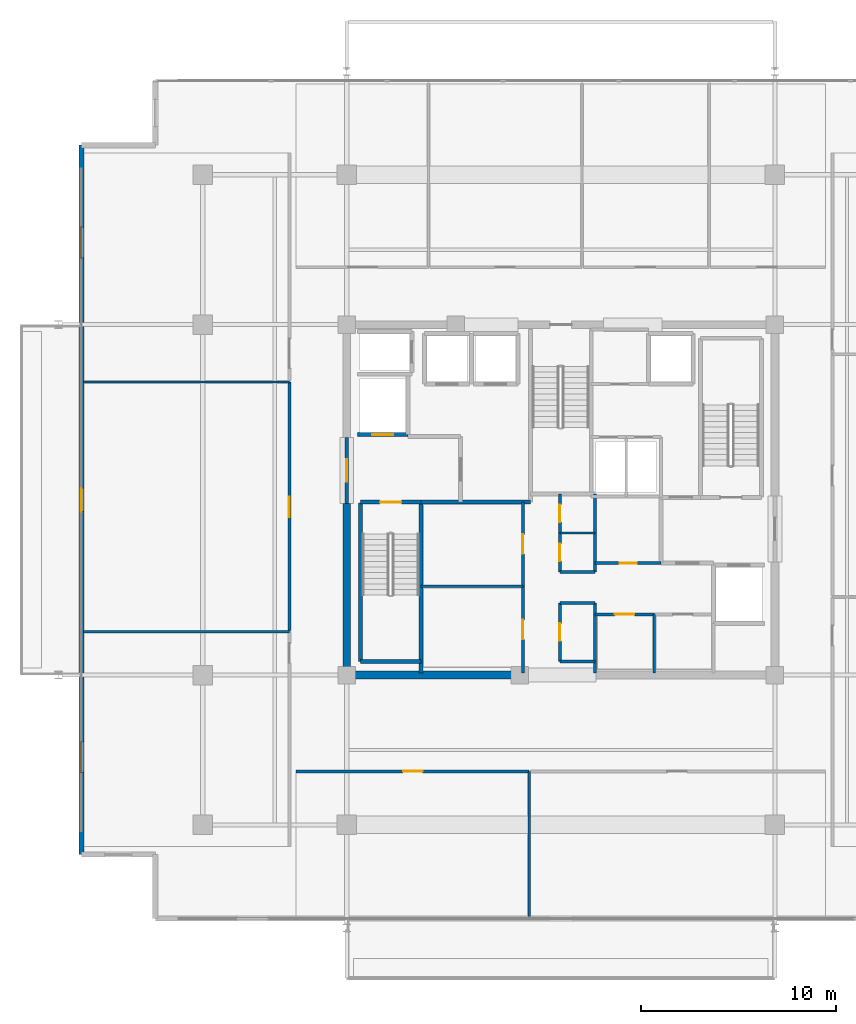
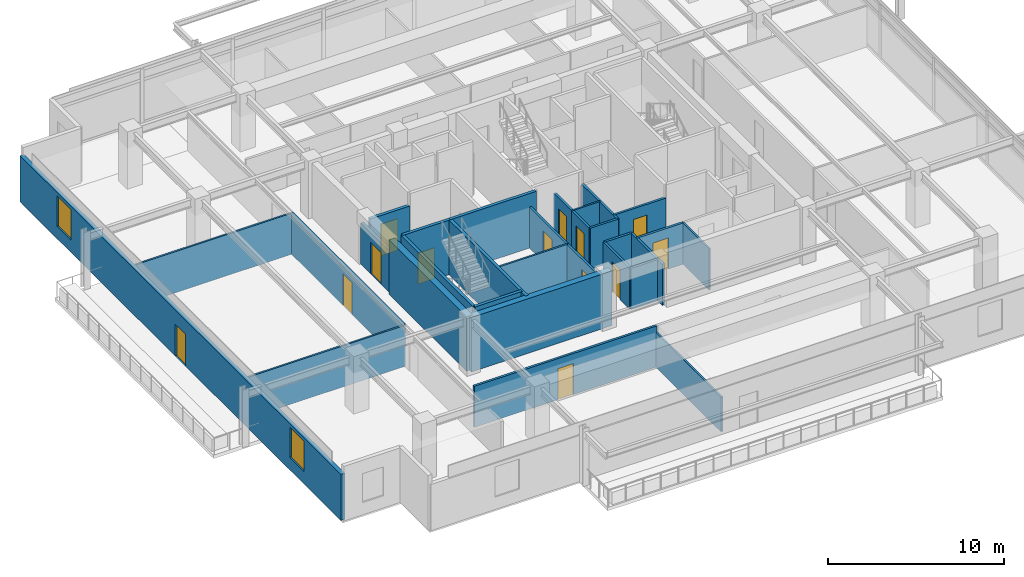
# One storey, part 14 of 21: 30 walls, 13 doors, 2 windows, 15 openings.
"""IFC4 building model written with IfcOpenShell, lengths in metres."""

from ifc_helpers import new_model, si_unit, direction, frame, frame_2d, origin, place, context, subcontext, project, spatial, rectangle, extrude, material, layer, layer_set, type_object, element, fill, save


model = new_model("IFC4")

# Units and contexts
model_context = context("Model", 3, precision=1e-05, world=origin(), true_north=direction((0.0, 1.0)))
body_context = subcontext(model_context, "Body", "Model", "MODEL_VIEW")
ifc_project = project(units=[si_unit("LENGTHUNIT", "METRE"), si_unit("AREAUNIT", "SQUARE_METRE"), si_unit("VOLUMEUNIT", "CUBIC_METRE"), si_unit("PLANEANGLEUNIT", "RADIAN"), si_unit("MASSUNIT", "GRAM", prefix="KILO")], contexts=[model_context])

# Site, building, storey
site_placement = place(None, origin())
site = spatial("IfcSite", under=ifc_project, at=site_placement, CompositionType="ELEMENT")
building_placement = place(site_placement, origin())
building = spatial("IfcBuilding", under=site, at=building_placement, Name="Kovane Verandah Tower", CompositionType="ELEMENT")
storey_placement = place(building_placement, frame((0.0, 0.0, 314.800048828125)))
storey = spatial("IfcBuildingStorey", under=building, at=storey_placement, Name="L73", CompositionType="ELEMENT", Elevation=314.800048828125)

# Walls
ifc_material_1 = material(Name="Fire-Rated Gypsum Stud Partition", Category="gypsum")
ifc_layer_1 = layer(ifc_material_1, 0.14990234375)
ifc_layer_set_1 = layer_set([ifc_layer_1], Name="Fire-Rated Gypsum Stud Partition")
wall_type_1 = type_object("IfcWallType", Name="WL-COR-150", PredefinedType="PARTITIONING", material=ifc_layer_set_1)
for number, where, z_axis, x_axis, name in (
    (1, (39.949951171875, 19.199951171875, 0.0), (0.0, 0.0, 1.0), (1.0, 0.0, 0.0), "L73 Central Core Strip South Wall"),
    (2, (39.949951171875, 22.199951171875, 0.0), (0.0, 0.0, 1.0), (1.0, 0.0, 0.0), "L73 Core Cross-Passage South Wall"),
    (3, (39.949951171875, 23.800048828125, 0.0), (0.0, 0.0, 1.0), (1.0, 0.0, 0.0), "L73 Core Cross-Passage North Wall"),
):
    element("IfcWall", number, at=place(storey_placement, frame(where, z_axis=z_axis, x_axis=x_axis)), inside=storey, type_object=wall_type_1, Name=name, PredefinedType="PARTITIONING", context=body_context, shape_type="SweptSolid", body=[
        extrude(rectangle(XDim=1.81005859375, YDim=0.14990234375, at=frame_2d((0.905029296875, 0.0))), origin(), (0.0, 0.0, 1.0), 2.849853515625),
    ])
wall_1_placement = place(storey_placement, frame((41.760009765625, 18.60009765625, 0.0), z_axis=(0.0, 0.0, 1.0), x_axis=(0.0, 1.0, 0.0)))
element("IfcWall", 4, at=wall_1_placement, inside=storey, type_object=wall_type_1, Name="L73 Central Core Strip Lower East Wall", PredefinedType="PARTITIONING", context=body_context, shape_type="SweptSolid", body=[
    extrude(rectangle(XDim=3.599853515625, YDim=0.14990234375, at=frame_2d((1.7998046875, 0.0))), origin(), (0.0, 0.0, 1.0), 2.849853515625),
])
wall_2_placement = place(storey_placement, frame((41.760009765625, 23.800048828125, 0.0), z_axis=(0.0, 0.0, 1.0), x_axis=(0.0, 1.0, 0.0)))
element("IfcWall", 5, at=wall_2_placement, inside=storey, type_object=wall_type_1, Name="L73 Central Core Strip Upper East Wall", PredefinedType="PARTITIONING", context=body_context, shape_type="SweptSolid", body=[
    extrude(rectangle(XDim=4.0, YDim=0.14990234375, at=frame_2d((2.0, 0.0))), origin(), (0.0, 0.0, 1.0), 2.849853515625),
])

# Wall, opening, door
wall_3_placement = place(storey_placement, frame((39.949951171875, 19.199951171875, 0.0), z_axis=(0.0, 0.0, 1.0), x_axis=(0.0, 1.0, 0.0)))
wall_3 = element("IfcWall", 6, at=wall_3_placement, inside=storey, type_object=wall_type_1, Name="L73 Male Toilet Partition", PredefinedType="PARTITIONING", context=body_context, shape_type="SweptSolid", body=[
    extrude(rectangle(XDim=3.0, YDim=0.14990234375, at=frame_2d((1.5, 0.0))), origin(), (0.0, 0.0, 1.0), 2.849853515625),
])
opening_1_placement = place(wall_3_placement, frame((1.050048828125, 0.0, 0.0)))
opening_1 = element("IfcOpeningElement", 7, at=opening_1_placement, cuts=wall_3, Name="Opening DR-L73-030", PredefinedType="OPENING", context=body_context, shape_type="SweptSolid", body=[
    extrude(rectangle(XDim=0.89990234375, YDim=2.10009765625, at=frame_2d((0.449951171875, 1.050048828125))), frame((0.0, 0.074951171875, 0.0), z_axis=(0.0, -1.0, 0.0), x_axis=(1.0, 0.0, 0.0)), (0.0, 0.0, 1.0), 0.14990234375),
])
ifc_material_2 = material(Name="Moisture-Resistant Laminate Washroom Door", Category="wood")
door_type_1 = type_object("IfcDoorType", Name="DR-WC-900", OperationType="SINGLE_SWING_LEFT", PredefinedType="DOOR", material=ifc_material_2)
door_1_placement = place(opening_1_placement, origin())
door_1 = element("IfcDoor", 8, at=door_1_placement, inside=storey, type_object=door_type_1, Name="L73 Male Toilet Door", OperationType="SINGLE_SWING_LEFT", OverallHeight=2.10009765625, OverallWidth=0.89990234375, PredefinedType="DOOR", context=body_context, shape_type="SweptSolid", body=[
    extrude(rectangle(XDim=0.89990234375, YDim=2.10009765625, at=frame_2d((0.449951171875, 1.050048828125))), frame((0.0, 0.02490234375, 0.0), z_axis=(0.0, -1.0, 0.0), x_axis=(1.0, 0.0, 0.0)), (0.0, 0.0, 1.0), 0.050048828125),
])
fill(opening_1, door_1)

wall_4_placement = place(storey_placement, frame((39.949951171875, 23.800048828125, 0.0), z_axis=(0.0, 0.0, 1.0), x_axis=(0.0, 1.0, 0.0)))
wall_4 = element("IfcWall", 9, at=wall_4_placement, inside=storey, type_object=wall_type_1, Name="L73 Female Toilet Partition", PredefinedType="PARTITIONING", context=body_context, shape_type="SweptSolid", body=[
    extrude(rectangle(XDim=2.0, YDim=0.14990234375, at=frame_2d((1.0, 0.0))), origin(), (0.0, 0.0, 1.0), 2.849853515625),
])
opening_2_placement = place(wall_4_placement, frame((0.550048828125, 0.0, 0.0)))
opening_2 = element("IfcOpeningElement", 10, at=opening_2_placement, cuts=wall_4, Name="Opening DR-L73-029", PredefinedType="OPENING", context=body_context, shape_type="SweptSolid", body=[
    extrude(rectangle(XDim=0.89990234375, YDim=2.10009765625, at=frame_2d((0.449951171875, 1.050048828125))), frame((0.0, 0.074951171875, 0.0), z_axis=(0.0, -1.0, 0.0), x_axis=(1.0, 0.0, 0.0)), (0.0, 0.0, 1.0), 0.14990234375),
])
door_2_placement = place(opening_2_placement, origin())
door_2 = element("IfcDoor", 11, at=door_2_placement, inside=storey, type_object=door_type_1, Name="L73 Female Toilet Door", OperationType="SINGLE_SWING_RIGHT", OverallHeight=2.10009765625, OverallWidth=0.89990234375, PredefinedType="DOOR", context=body_context, shape_type="SweptSolid", body=[
    extrude(rectangle(XDim=0.89990234375, YDim=2.10009765625, at=frame_2d((0.449951171875, 1.050048828125))), frame((0.0, 0.02490234375, 0.0), z_axis=(0.0, -1.0, 0.0), x_axis=(1.0, 0.0, 0.0)), (0.0, 0.0, 1.0), 0.050048828125),
])
fill(opening_2, door_2)

wall_5_placement = place(storey_placement, frame((39.949951171875, 25.800048828125, 0.0), z_axis=(0.0, 0.0, 1.0), x_axis=(0.0, 1.0, 0.0)))
wall_5 = element("IfcWall", 12, at=wall_5_placement, inside=storey, type_object=wall_type_1, Name="L73 Accessible Unisex Toilet Partition", PredefinedType="PARTITIONING", context=body_context, shape_type="SweptSolid", body=[
    extrude(rectangle(XDim=2.0, YDim=0.14990234375, at=frame_2d((1.0, 0.0))), origin(), (0.0, 0.0, 1.0), 2.849853515625),
])
opening_3_placement = place(wall_5_placement, frame((0.550048828125, 0.0, 0.0)))
opening_3 = element("IfcOpeningElement", 13, at=opening_3_placement, cuts=wall_5, Name="Opening DR-L73-028", PredefinedType="OPENING", context=body_context, shape_type="SweptSolid", body=[
    extrude(rectangle(XDim=0.89990234375, YDim=2.10009765625, at=frame_2d((0.449951171875, 1.050048828125))), frame((0.0, 0.074951171875, 0.0), z_axis=(0.0, -1.0, 0.0), x_axis=(1.0, 0.0, 0.0)), (0.0, 0.0, 1.0), 0.14990234375),
])
door_3_placement = place(opening_3_placement, origin())
door_3 = element("IfcDoor", 14, at=door_3_placement, inside=storey, type_object=door_type_1, Name="L73 Accessible Unisex Toilet Door", OperationType="SINGLE_SWING_LEFT", OverallHeight=2.10009765625, OverallWidth=0.89990234375, PredefinedType="DOOR", context=body_context, shape_type="SweptSolid", body=[
    extrude(rectangle(XDim=0.89990234375, YDim=2.10009765625, at=frame_2d((0.449951171875, 1.050048828125))), frame((0.0, 0.02490234375, 0.0), z_axis=(0.0, -1.0, 0.0), x_axis=(1.0, 0.0, 0.0)), (0.0, 0.0, 1.0), 0.050048828125),
])
fill(opening_3, door_3)

wall_6_placement = place(storey_placement, frame((38.050048828125, 18.60009765625, 0.0), z_axis=(0.0, 0.0, 1.0), x_axis=(0.0, 1.0, 0.0)))
wall_6 = element("IfcWall", 15, at=wall_6_placement, inside=storey, type_object=wall_type_1, Name="L73 IT Server Room Partition", PredefinedType="PARTITIONING", context=body_context, shape_type="SweptSolid", body=[
    extrude(rectangle(XDim=4.4599609375, YDim=0.14990234375, at=frame_2d((2.22998046875, 0.0))), origin(), (0.0, 0.0, 1.0), 2.849853515625),
])
opening_4_placement = place(wall_6_placement, frame((1.72998046875, 0.0, 0.0)))
opening_4 = element("IfcOpeningElement", 16, at=opening_4_placement, cuts=wall_6, Name="Opening DR-L73-014", PredefinedType="OPENING", context=body_context, shape_type="SweptSolid", body=[
    extrude(rectangle(XDim=1.0, YDim=2.14990234375, at=frame_2d((0.5, 1.074951171875))), frame((0.0, 0.074951171875, 0.0), z_axis=(0.0, -1.0, 0.0), x_axis=(1.0, 0.0, 0.0)), (0.0, 0.0, 1.0), 0.14990234375),
])
ifc_material_3 = material(Name="FSC Spotted-Gum Timber Fire-Rated Office Door", Category="wood")
door_type_2 = type_object("IfcDoorType", Name="DR-OFF-1000", OperationType="SINGLE_SWING_LEFT", PredefinedType="DOOR", material=ifc_material_3)
door_4_placement = place(opening_4_placement, origin())
door_4 = element("IfcDoor", 17, at=door_4_placement, inside=storey, type_object=door_type_2, Name="L73 IT Server Room Door", OperationType="SINGLE_SWING_RIGHT", OverallHeight=2.14990234375, OverallWidth=1.0, PredefinedType="DOOR", context=body_context, shape_type="SweptSolid", body=[
    extrude(rectangle(XDim=1.0, YDim=2.14990234375, at=frame_2d((0.5, 1.074951171875))), frame((0.0, 0.02490234375, 0.0), z_axis=(0.0, -1.0, 0.0), x_axis=(1.0, 0.0, 0.0)), (0.0, 0.0, 1.0), 0.050048828125),
])
fill(opening_4, door_4)

wall_7_placement = place(storey_placement, frame((38.050048828125, 23.06005859375, 0.0), z_axis=(0.0, 0.0, 1.0), x_axis=(0.0, 1.0, 0.0)))
wall_7 = element("IfcWall", 18, at=wall_7_placement, inside=storey, type_object=wall_type_1, Name="L73 Telecom MDF Room Partition", PredefinedType="PARTITIONING", context=body_context, shape_type="SweptSolid", body=[
    extrude(rectangle(XDim=4.31982421875, YDim=0.14990234375, at=frame_2d((2.159912109375, 0.0))), origin(), (0.0, 0.0, 1.0), 2.849853515625),
])
opening_5_placement = place(wall_7_placement, frame((1.659912109375, 0.0, 0.0)))
opening_5 = element("IfcOpeningElement", 19, at=opening_5_placement, cuts=wall_7, Name="Opening DR-L73-015", PredefinedType="OPENING", context=body_context, shape_type="SweptSolid", body=[
    extrude(rectangle(XDim=1.0, YDim=2.14990234375, at=frame_2d((0.5, 1.074951171875))), frame((0.0, 0.074951171875, 0.0), z_axis=(0.0, -1.0, 0.0), x_axis=(1.0, 0.0, 0.0)), (0.0, 0.0, 1.0), 0.14990234375),
])
door_5_placement = place(opening_5_placement, origin())
door_5 = element("IfcDoor", 20, at=door_5_placement, inside=storey, type_object=door_type_2, Name="L73 Telecom MDF Room Door", OperationType="SINGLE_SWING_LEFT", OverallHeight=2.14990234375, OverallWidth=1.0, PredefinedType="DOOR", context=body_context, shape_type="SweptSolid", body=[
    extrude(rectangle(XDim=1.0, YDim=2.14990234375, at=frame_2d((0.5, 1.074951171875))), frame((0.0, 0.02490234375, 0.0), z_axis=(0.0, -1.0, 0.0), x_axis=(1.0, 0.0, 0.0)), (0.0, 0.0, 1.0), 0.050048828125),
])
fill(opening_5, door_5)

wall_8_placement = place(storey_placement, frame((41.760009765625, 21.6201171875, 0.0), z_axis=(0.0, 0.0, 1.0), x_axis=(1.0, 0.0, 0.0)))
wall_8 = element("IfcWall", 21, at=wall_8_placement, inside=storey, type_object=wall_type_1, Name="L73 AV Control Room Partition", PredefinedType="PARTITIONING", context=body_context, shape_type="SweptSolid", body=[
    extrude(rectangle(XDim=3.0400390625, YDim=0.14990234375, at=frame_2d((1.52001953125, 0.0))), origin(), (0.0, 0.0, 1.0), 2.849853515625),
])
opening_6_placement = place(wall_8_placement, frame((1.02001953125, 0.0, 0.0)))
opening_6 = element("IfcOpeningElement", 22, at=opening_6_placement, cuts=wall_8, Name="Opening DR-L73-016", PredefinedType="OPENING", context=body_context, shape_type="SweptSolid", body=[
    extrude(rectangle(XDim=1.0, YDim=2.14990234375, at=frame_2d((0.5, 1.074951171875))), frame((0.0, 0.074951171875, 0.0), z_axis=(0.0, -1.0, 0.0), x_axis=(1.0, 0.0, 0.0)), (0.0, 0.0, 1.0), 0.14990234375),
])
door_6_placement = place(opening_6_placement, origin())
door_6 = element("IfcDoor", 23, at=door_6_placement, inside=storey, type_object=door_type_2, Name="L73 AV Control Room Door", OperationType="SINGLE_SWING_RIGHT", OverallHeight=2.14990234375, OverallWidth=1.0, PredefinedType="DOOR", context=body_context, shape_type="SweptSolid", body=[
    extrude(rectangle(XDim=1.0, YDim=2.14990234375, at=frame_2d((0.5, 1.074951171875))), frame((0.0, 0.02490234375, 0.0), z_axis=(0.0, -1.0, 0.0), x_axis=(1.0, 0.0, 0.0)), (0.0, 0.0, 1.0), 0.050048828125),
])
fill(opening_6, door_6)

wall_9_placement = place(storey_placement, frame((41.760009765625, 24.25, 0.0), z_axis=(0.0, 0.0, 1.0), x_axis=(1.0, 0.0, 0.0)))
wall_9 = element("IfcWall", 24, at=wall_9_placement, inside=storey, type_object=wall_type_1, Name="L73 Cleaner Store Partition", PredefinedType="PARTITIONING", context=body_context, shape_type="SweptSolid", body=[
    extrude(rectangle(XDim=3.389892578125, YDim=0.14990234375, at=frame_2d((1.69482421875, 0.0))), origin(), (0.0, 0.0, 1.0), 2.849853515625),
])
opening_7_placement = place(wall_9_placement, frame((1.2548828125, 0.0, 0.0)))
opening_7 = element("IfcOpeningElement", 25, at=opening_7_placement, cuts=wall_9, Name="Opening DR-L73-018", PredefinedType="OPENING", context=body_context, shape_type="SweptSolid", body=[
    extrude(rectangle(XDim=0.8798828125, YDim=2.10009765625, at=frame_2d((0.43994140625, 1.050048828125))), frame((0.0, 0.074951171875, 0.0), z_axis=(0.0, -1.0, 0.0), x_axis=(1.0, 0.0, 0.0)), (0.0, 0.0, 1.0), 0.14990234375),
])
ifc_material_4 = material(Name="Fire-Rated Steel Riser Access Door", Category="steel")
door_type_3 = type_object("IfcDoorType", Name="DR-RISER-880", OperationType="SINGLE_SWING_LEFT", PredefinedType="DOOR", material=ifc_material_4)
door_7_placement = place(opening_7_placement, origin())
door_7 = element("IfcDoor", 26, at=door_7_placement, inside=storey, type_object=door_type_3, Name="L73 Cleaner Store Door", OperationType="SINGLE_SWING_RIGHT", OverallHeight=2.10009765625, OverallWidth=0.8798828125, PredefinedType="DOOR", context=body_context, shape_type="SweptSolid", body=[
    extrude(rectangle(XDim=0.8798828125, YDim=2.10009765625, at=frame_2d((0.43994140625, 1.050048828125))), frame((0.0, 0.02490234375, 0.0), z_axis=(0.0, -1.0, 0.0), x_axis=(1.0, 0.0, 0.0)), (0.0, 0.0, 1.0), 0.050048828125),
])
fill(opening_7, door_7)

wall_10_placement = place(storey_placement, frame((26.39990234375, 13.550048828125, 0.0), z_axis=(0.0, 0.0, 1.0), x_axis=(1.0, 0.0, 0.0)))
wall_10 = element("IfcWall", 27, at=wall_10_placement, inside=storey, type_object=wall_type_1, Name="L73 Collaboration Hub S1 Corridor Partition", PredefinedType="PARTITIONING", context=body_context, shape_type="SweptSolid", body=[
    extrude(rectangle(XDim=11.968017578125, YDim=0.14990234375, at=frame_2d((5.98388671875, 0.0))), origin(), (0.0, 0.0, 1.0), 2.849853515625),
])
opening_8_placement = place(wall_10_placement, frame((5.4990234375, 0.0, 0.0)))
opening_8 = element("IfcOpeningElement", 28, at=opening_8_placement, cuts=wall_10, Name="Opening DR-L73-026", PredefinedType="OPENING", context=body_context, shape_type="SweptSolid", body=[
    extrude(rectangle(XDim=1.0, YDim=2.14990234375, at=frame_2d((0.5, 1.074951171875))), frame((0.0, 0.074951171875, 0.0), z_axis=(0.0, -1.0, 0.0), x_axis=(1.0, 0.0, 0.0)), (0.0, 0.0, 1.0), 0.14990234375),
])
door_8_placement = place(opening_8_placement, origin())
door_8 = element("IfcDoor", 29, at=door_8_placement, inside=storey, type_object=door_type_2, Name="L73 Collaboration Hub S1 Entrance Door", OperationType="SINGLE_SWING_RIGHT", OverallHeight=2.14990234375, OverallWidth=1.0, PredefinedType="DOOR", context=body_context, shape_type="SweptSolid", body=[
    extrude(rectangle(XDim=1.0, YDim=2.14990234375, at=frame_2d((0.5, 1.074951171875))), frame((0.0, 0.02490234375, 0.0), z_axis=(0.0, -1.0, 0.0), x_axis=(1.0, 0.0, 0.0)), (0.0, 0.0, 1.0), 0.050048828125),
])
fill(opening_8, door_8)

wall_11_placement = place(storey_placement, frame((26.050048828125, 20.799072265625, 0.0), z_axis=(0.0, 0.0, 1.0), x_axis=(0.0, 1.0, 0.0)))
wall_11 = element("IfcWall", 30, at=wall_11_placement, inside=storey, type_object=wall_type_1, Name="L73 Executive Office W2 Corridor Partition", PredefinedType="PARTITIONING", context=body_context, shape_type="SweptSolid", body=[
    extrude(rectangle(XDim=12.759033203125, YDim=0.14990234375, at=frame_2d((6.37939453125, 0.0))), origin(), (0.0, 0.0, 1.0), 2.849853515625),
])
opening_9_placement = place(wall_11_placement, frame((5.819580078125, 0.0, 0.0)))
opening_9 = element("IfcOpeningElement", 31, at=opening_9_placement, cuts=wall_11, Name="Opening DR-L73-032", PredefinedType="OPENING", context=body_context, shape_type="SweptSolid", body=[
    extrude(rectangle(XDim=1.050048828125, YDim=2.199951171875, at=frame_2d((0.52490234375, 1.10009765625))), frame((0.0, 0.074951171875, 0.0), z_axis=(0.0, -1.0, 0.0), x_axis=(1.0, 0.0, 0.0)), (0.0, 0.0, 1.0), 0.14990234375),
])
ifc_material_5 = material(Name="FSC Blackbutt Timber Fire-Rated Executive Door", Category="wood")
door_type_4 = type_object("IfcDoorType", Name="DR-EXEC-1050", OperationType="SINGLE_SWING_LEFT", PredefinedType="DOOR", material=ifc_material_5)
door_9_placement = place(opening_9_placement, origin())
door_9 = element("IfcDoor", 32, at=door_9_placement, inside=storey, type_object=door_type_4, Name="L73 Executive Office W2 Entrance Door", OperationType="SINGLE_SWING_LEFT", OverallHeight=2.199951171875, OverallWidth=1.050048828125, PredefinedType="DOOR", context=body_context, shape_type="SweptSolid", body=[
    extrude(rectangle(XDim=1.050048828125, YDim=2.199951171875, at=frame_2d((0.52490234375, 1.10009765625))), frame((0.0, 0.02490234375, 0.0), z_axis=(0.0, -1.0, 0.0), x_axis=(1.0, 0.0, 0.0)), (0.0, 0.0, 1.0), 0.050048828125),
])
fill(opening_9, door_9)

# Walls
ifc_material_6 = material(Name="Concrete C60/75", Category="concrete")
ifc_layer_2 = layer(ifc_material_6, 0.39990234375)
ifc_layer_set_2 = layer_set([ifc_layer_2], Name="Concrete C60/75")
wall_type_2 = type_object("IfcWallType", Name="WL-CORE-400", PredefinedType="SHEAR", material=ifc_layer_set_2)
wall_12_placement = place(storey_placement, frame((29.0, 18.5, 0.0), z_axis=(0.0, 0.0, 1.0), x_axis=(1.0, 0.0, 0.0)))
element("IfcWall", 33, at=wall_12_placement, inside=storey, type_object=wall_type_2, Name="L73 Core Shear Wall CS-1", PredefinedType="SHEAR", context=body_context, shape_type="SweptSolid", body=[
    extrude(rectangle(XDim=9.199951171875, YDim=0.39990234375, at=frame_2d((4.60009765625, 0.0))), origin(), (0.0, 0.0, 1.0), 3.784912109375),
])
wall_13_placement = place(storey_placement, frame((29.0, 18.5, 0.0), z_axis=(0.0, 0.0, 1.0), x_axis=(0.0, 1.0, 0.0)))
element("IfcWall", 34, at=wall_13_placement, inside=storey, type_object=wall_type_2, Name="L73 Core Shear Wall CW-1", PredefinedType="SHEAR", context=body_context, shape_type="SweptSolid", body=[
    extrude(rectangle(XDim=8.800048828125, YDim=0.39990234375, at=frame_2d((4.39990234375, 0.0))), origin(), (0.0, 0.0, 1.0), 3.784912109375),
])

# Wall, opening, door
ifc_material_7 = material(Name="Concrete C45/55 Fire Wall", Category="concrete")
ifc_layer_3 = layer(ifc_material_7, 0.199951171875)
ifc_layer_set_3 = layer_set([ifc_layer_3], Name="Concrete C45/55 Fire Wall")
wall_type_3 = type_object("IfcWallType", Name="WL-FFL-200", PredefinedType="PARTITIONING", material=ifc_layer_set_3)
wall_14_placement = place(storey_placement, frame((29.0, 27.300048828125, 0.0), z_axis=(0.0, 0.0, 1.0), x_axis=(0.0, 1.0, 0.0)))
wall_14 = element("IfcWall", 35, at=wall_14_placement, inside=storey, type_object=wall_type_3, Name="W-L73-FFLW-OUT", PredefinedType="PARTITIONING", context=body_context, shape_type="SweptSolid", body=[
    extrude(rectangle(XDim=3.39990234375, YDim=0.199951171875, at=frame_2d((1.699951171875, 0.0))), origin(), (0.0, 0.0, 1.0), 2.864990234375),
])
opening_10_placement = place(wall_14_placement, frame((1.125, 0.0, 0.0)))
opening_10 = element("IfcOpeningElement", 36, at=opening_10_placement, cuts=wall_14, Name="Opening DR-L73-007", PredefinedType="OPENING", context=body_context, shape_type="SweptSolid", body=[
    extrude(rectangle(XDim=1.14990234375, YDim=2.199951171875, at=frame_2d((0.574951171875, 1.10009765625))), frame((0.0, 0.10009765625, 0.0), z_axis=(0.0, -1.0, 0.0), x_axis=(1.0, 0.0, 0.0)), (0.0, 0.0, 1.0), 0.199951171875),
])
ifc_material_8 = material(Name="Smoke-Sealed Firefighting Lobby Door", Category="steel")
door_type_5 = type_object("IfcDoorType", Name="DR-FFL-1150", OperationType="SINGLE_SWING_LEFT", PredefinedType="DOOR", material=ifc_material_8)
door_10_placement = place(opening_10_placement, origin())
door_10 = element("IfcDoor", 37, at=door_10_placement, inside=storey, type_object=door_type_5, Name="L73 West Firefighting Lobby Corridor Door", OperationType="SINGLE_SWING_RIGHT", OverallHeight=2.199951171875, OverallWidth=1.14990234375, PredefinedType="DOOR", context=body_context, shape_type="SweptSolid", body=[
    extrude(rectangle(XDim=1.14990234375, YDim=2.199951171875, at=frame_2d((0.574951171875, 1.10009765625))), frame((0.0, 0.02490234375, 0.0), z_axis=(0.0, -1.0, 0.0), x_axis=(1.0, 0.0, 0.0)), (0.0, 0.0, 1.0), 0.050048828125),
])
fill(opening_10, door_10)

# Wall
wall_15_placement = place(storey_placement, frame((32.820068359375, 27.3798828125, 0.0), z_axis=(0.0, 0.0, 1.0), x_axis=(1.0, 0.0, 0.0)))
element("IfcWall", 38, at=wall_15_placement, inside=storey, type_object=wall_type_3, Name="L73 West Firefighting Lobby South Fire Wall", PredefinedType="PARTITIONING", context=body_context, shape_type="SweptSolid", body=[
    extrude(rectangle(XDim=5.619873046875, YDim=0.199951171875, at=frame_2d((2.81005859375, 0.0))), origin(), (0.0, 0.0, 1.0), 3.784912109375),
])

# Wall, opening, door
ifc_material_9 = material(Name="Concrete C45/55 Lift Shaft Wall", Category="concrete")
ifc_layer_4 = layer(ifc_material_9, 0.199951171875)
ifc_layer_set_4 = layer_set([ifc_layer_4], Name="Concrete C45/55 Lift Shaft Wall")
wall_type_4 = type_object("IfcWallType", Name="WL-LIFT-200", PredefinedType="SOLIDWALL", material=ifc_layer_set_4)
wall_16_placement = place(storey_placement, frame((29.550048828125, 30.85009765625, 0.0), z_axis=(0.0, 0.0, 1.0), x_axis=(1.0, 0.0, 0.0)))
wall_16 = element("IfcWall", 39, at=wall_16_placement, inside=storey, type_object=wall_type_4, Name="L73 Lift FL-01 S Shaft Wall", PredefinedType="SOLIDWALL", context=body_context, shape_type="SweptSolid", body=[
    extrude(rectangle(XDim=2.599853515625, YDim=0.199951171875, at=frame_2d((1.2998046875, 0.0))), origin(), (0.0, 0.0, 1.0), 2.864990234375),
])
opening_11_placement = place(wall_16_placement, frame((0.75, 0.0, 0.0)))
opening_11 = element("IfcOpeningElement", 40, at=opening_11_placement, cuts=wall_16, Name="Opening LD-L73-001", PredefinedType="OPENING", context=body_context, shape_type="SweptSolid", body=[
    extrude(rectangle(XDim=1.10009765625, YDim=2.199951171875, at=frame_2d((0.550048828125, 1.10009765625))), frame((0.0, 0.10009765625, 0.0), z_axis=(0.0, -1.0, 0.0), x_axis=(1.0, 0.0, 0.0)), (0.0, 0.0, 1.0), 0.199951171875),
])
ifc_material_10 = material(Name="Brushed Stainless Steel Sliding Lift Landing Door", Category="steel")
door_type_6 = type_object("IfcDoorType", Name="DR-LIFT-1100", OperationType="SLIDING_TO_RIGHT", PredefinedType="DOOR", material=ifc_material_10)
door_11_placement = place(opening_11_placement, origin())
door_11 = element("IfcDoor", 41, at=door_11_placement, inside=storey, type_object=door_type_6, Name="L73 Lift FL-01 Sliding Landing Door", OperationType="SLIDING_TO_RIGHT", OverallHeight=2.199951171875, OverallWidth=1.10009765625, PredefinedType="DOOR", context=body_context, shape_type="SweptSolid", body=[
    extrude(rectangle(XDim=1.10009765625, YDim=2.199951171875, at=frame_2d((0.550048828125, 1.10009765625))), frame((0.0, 0.02490234375, 0.0), z_axis=(0.0, -1.0, 0.0), x_axis=(1.0, 0.0, 0.0)), (0.0, 0.0, 1.0), 0.050048828125),
])
fill(opening_11, door_11)

# Walls
ifc_material_11 = material(Name="Acoustic Fire-Rated Gypsum Partition", Category="gypsum")
ifc_layer_5 = layer(ifc_material_11, 0.1201171875)
ifc_layer_set_5 = layer_set([ifc_layer_5], Name="Acoustic Fire-Rated Gypsum Partition")
wall_type_5 = type_object("IfcWallType", Name="WL-PART-120", PredefinedType="PARTITIONING", material=ifc_layer_set_5)
wall_17_placement = place(storey_placement, frame((39.949951171875, 25.800048828125, 0.0), z_axis=(0.0, 0.0, 1.0), x_axis=(1.0, 0.0, 0.0)))
element("IfcWall", 42, at=wall_17_placement, inside=storey, type_object=wall_type_5, Name="L73 Central Core Strip Upper Dividing Partition", PredefinedType="PARTITIONING", context=body_context, shape_type="SweptSolid", body=[
    extrude(rectangle(XDim=1.81005859375, YDim=0.1201171875, at=frame_2d((0.905029296875, 0.0))), origin(), (0.0, 0.0, 1.0), 2.849853515625),
])
wall_18_placement = place(storey_placement, frame((32.820068359375, 23.06005859375, 0.0), z_axis=(0.0, 0.0, 1.0), x_axis=(1.0, 0.0, 0.0)))
element("IfcWall", 43, at=wall_18_placement, inside=storey, type_object=wall_type_5, Name="L73 Core Support Dividing Partition", PredefinedType="PARTITIONING", context=body_context, shape_type="SweptSolid", body=[
    extrude(rectangle(XDim=5.22998046875, YDim=0.1201171875, at=frame_2d((2.614990234375, 0.0))), origin(), (0.0, 0.0, 1.0), 2.849853515625),
])
wall_19_placement = place(storey_placement, frame((44.800048828125, 18.60009765625, 0.0), z_axis=(0.0, 0.0, 1.0), x_axis=(0.0, 1.0, 0.0)))
element("IfcWall", 44, at=wall_19_placement, inside=storey, type_object=wall_type_5, Name="L73 East Core Support Dividing Partition", PredefinedType="PARTITIONING", context=body_context, shape_type="SweptSolid", body=[
    extrude(rectangle(XDim=3.02001953125, YDim=0.1201171875, at=frame_2d((1.510009765625, 0.0))), origin(), (0.0, 0.0, 1.0), 2.849853515625),
])
wall_20_placement = place(storey_placement, frame((38.367919921875, 6.081787109375, 0.0), z_axis=(0.0, 0.0, 1.0), x_axis=(0.0, 1.0, 0.0)))
element("IfcWall", 45, at=wall_20_placement, inside=storey, type_object=wall_type_5, Name="L73 Collaboration Hub S1 Dividing Partition", PredefinedType="PARTITIONING", context=body_context, shape_type="SweptSolid", body=[
    extrude(rectangle(XDim=7.46826171875, YDim=0.1201171875, at=frame_2d((3.734130859375, 0.0))), origin(), (0.0, 0.0, 1.0), 2.4150390625),
])
for number, where, z_axis, x_axis, name in (
    (46, (15.463623046875, 20.72900390625, 0.0), (0.0, 0.0, 1.0), (1.0, 0.0, 0.0), "L73 Open Plan Office W1 Dividing Partition"),
    (47, (15.463623046875, 33.55810546875, 0.0), (0.0, 0.0, 1.0), (1.0, 0.0, 0.0), "L73 Executive Office W2 Dividing Partition"),
):
    element("IfcWall", number, at=place(storey_placement, frame(where, z_axis=z_axis, x_axis=x_axis)), inside=storey, type_object=wall_type_5, Name=name, PredefinedType="PARTITIONING", context=body_context, shape_type="SweptSolid", body=[
        extrude(rectangle(XDim=10.58642578125, YDim=0.1201171875, at=frame_2d((5.293212890625, 0.0))), origin(), (0.0, 0.0, 1.0), 2.849853515625),
    ])
ifc_material_12 = material(Name="Concrete C45/55", Category="concrete")
ifc_layer_6 = layer(ifc_material_12, 0.199951171875)
ifc_layer_set_6 = layer_set([ifc_layer_6], Name="Concrete C45/55")
wall_type_6 = type_object("IfcWallType", Name="WL-SHAFT-200", PredefinedType="SOLIDWALL", material=ifc_layer_set_6)
wall_21_placement = place(storey_placement, frame((29.699951171875, 19.199951171875, 0.0), z_axis=(0.0, 0.0, 1.0), x_axis=(0.0, 1.0, 0.0)))
element("IfcWall", 48, at=wall_21_placement, inside=storey, type_object=wall_type_6, Name="W-L73-ST01-W", PredefinedType="SOLIDWALL", context=body_context, shape_type="SweptSolid", body=[
    extrude(rectangle(XDim=8.150146484375, YDim=0.199951171875, at=frame_2d((4.0751953125, 0.0))), origin(), (0.0, 0.0, 1.0), 3.784912109375),
])
wall_22_placement = place(storey_placement, frame((29.699951171875, 19.199951171875, 0.0), z_axis=(0.0, 0.0, 1.0), x_axis=(1.0, 0.0, 0.0)))
element("IfcWall", 49, at=wall_22_placement, inside=storey, type_object=wall_type_6, Name="W-L73-ST01-S", PredefinedType="SOLIDWALL", context=body_context, shape_type="SweptSolid", body=[
    extrude(rectangle(XDim=3.1201171875, YDim=0.199951171875, at=frame_2d((1.56005859375, 0.0))), origin(), (0.0, 0.0, 1.0), 3.784912109375),
])
wall_23_placement = place(storey_placement, frame((32.820068359375, 18.60009765625, 0.0), z_axis=(0.0, 0.0, 1.0), x_axis=(0.0, 1.0, 0.0)))
element("IfcWall", 50, at=wall_23_placement, inside=storey, type_object=wall_type_6, Name="W-L73-ST01-E", PredefinedType="SOLIDWALL", context=body_context, shape_type="SweptSolid", body=[
    extrude(rectangle(XDim=8.77978515625, YDim=0.199951171875, at=frame_2d((4.389892578125, 0.0))), origin(), (0.0, 0.0, 1.0), 3.784912109375),
])

# Wall, opening, door
wall_24_placement = place(storey_placement, frame((29.699951171875, 27.3798828125, 0.0), z_axis=(0.0, 0.0, 1.0), x_axis=(1.0, 0.0, 0.0)))
wall_24 = element("IfcWall", 51, at=wall_24_placement, inside=storey, type_object=wall_type_6, Name="W-L73-ST01-N", PredefinedType="SOLIDWALL", context=body_context, shape_type="SweptSolid", body=[
    extrude(rectangle(XDim=3.1201171875, YDim=0.199951171875, at=frame_2d((1.56005859375, 0.0))), origin(), (0.0, 0.0, 1.0), 3.784912109375),
])
opening_12_placement = place(wall_24_placement, frame((1.010009765625, 0.0, 0.0)))
opening_12 = element("IfcOpeningElement", 52, at=opening_12_placement, cuts=wall_24, Name="Opening DR-L73-008", PredefinedType="OPENING", context=body_context, shape_type="SweptSolid", body=[
    extrude(rectangle(XDim=1.10009765625, YDim=2.14990234375, at=frame_2d((0.550048828125, 1.074951171875))), frame((0.0, 0.10009765625, 0.0), z_axis=(0.0, -1.0, 0.0), x_axis=(1.0, 0.0, 0.0)), (0.0, 0.0, 1.0), 0.199951171875),
])
ifc_material_13 = material(Name="Fire-Rated Steel Exit Door", Category="steel")
door_type_7 = type_object("IfcDoorType", Name="DR-STAIR-1100", OperationType="SINGLE_SWING_LEFT", PredefinedType="DOOR", material=ifc_material_13)
door_12_placement = place(opening_12_placement, origin())
door_12 = element("IfcDoor", 53, at=door_12_placement, inside=storey, type_object=door_type_7, Name="L73 ST-01 Fire Exit Stair Door", OperationType="SINGLE_SWING_RIGHT", OverallHeight=2.14990234375, OverallWidth=1.10009765625, PredefinedType="DOOR", context=body_context, shape_type="SweptSolid", body=[
    extrude(rectangle(XDim=1.10009765625, YDim=2.14990234375, at=frame_2d((0.550048828125, 1.074951171875))), frame((0.0, 0.02490234375, 0.0), z_axis=(0.0, -1.0, 0.0), x_axis=(1.0, 0.0, 0.0)), (0.0, 0.0, 1.0), 0.050048828125),
])
fill(opening_12, door_12)

# Wall, openings, door, windows
ifc_material_14 = material(Name="Concrete C45/55 Insulated Spandrel Wall", Category="concrete")
ifc_layer_7 = layer(ifc_material_14, 0.260009765625)
ifc_layer_set_7 = layer_set([ifc_layer_7], Name="Concrete C45/55 Insulated Spandrel Wall")
wall_type_7 = type_object("IfcWallType", Name="WL-SPANDREL-260", PredefinedType="PARAPET", material=ifc_layer_set_7)
wall_25_placement = place(storey_placement, frame((15.363525390625, 45.71826171875, 0.0), z_axis=(0.0, 0.0, 1.0), x_axis=(0.0, -1.0, 0.0)))
wall_25 = element("IfcWall", 54, at=wall_25_placement, inside=storey, type_object=wall_type_7, Name="L73 W Verandah Access Facade Wall", PredefinedType="PARAPET", context=body_context, shape_type="SweptSolid", body=[
    extrude(rectangle(XDim=36.4365234375, YDim=0.260009765625, at=frame_2d((18.21826171875, 0.0))), origin(), (0.0, 0.0, 1.0), 3.195556640625),
])
opening_13_placement = place(wall_25_placement, frame((4.199951171875, 0.0, 0.85009765625)))
opening_13 = element("IfcOpeningElement", 55, at=opening_13_placement, cuts=wall_25, Name="Opening W-02", PredefinedType="OPENING", context=body_context, shape_type="SweptSolid", body=[
    extrude(rectangle(XDim=1.60009765625, YDim=2.10009765625, at=frame_2d((0.800048828125, 1.050048828125))), frame((0.0, 0.1298828125, 0.0), z_axis=(0.0, -1.0, 0.0), x_axis=(1.0, 0.0, 0.0)), (0.0, 0.0, 1.0), 0.260009765625),
])
opening_14_placement = place(wall_25_placement, frame((17.6181640625, 0.0, 0.0)))
opening_14 = element("IfcOpeningElement", 56, at=opening_14_placement, cuts=wall_25, Name="Opening DR-L73-002", PredefinedType="OPENING", context=body_context, shape_type="SweptSolid", body=[
    extrude(rectangle(XDim=1.199951171875, YDim=2.199951171875, at=frame_2d((0.60009765625, 1.10009765625))), frame((0.0, 0.1298828125, 0.0), z_axis=(0.0, -1.0, 0.0), x_axis=(1.0, 0.0, 0.0)), (0.0, 0.0, 1.0), 0.260009765625),
])
opening_15_placement = place(wall_25_placement, frame((30.636474609375, 0.0, 0.85009765625)))
opening_15 = element("IfcOpeningElement", 57, at=opening_15_placement, cuts=wall_25, Name="Opening W-02", PredefinedType="OPENING", context=body_context, shape_type="SweptSolid", body=[
    extrude(rectangle(XDim=1.60009765625, YDim=2.10009765625, at=frame_2d((0.800048828125, 1.050048828125))), frame((0.0, 0.1298828125, 0.0), z_axis=(0.0, -1.0, 0.0), x_axis=(1.0, 0.0, 0.0)), (0.0, 0.0, 1.0), 0.260009765625),
])
ifc_material_15 = material(Name="Cyclone-Rated Glazed Balcony Leaf Door", Category="aluminium")
door_type_8 = type_object("IfcDoorType", Name="DR-BAL-1200x2200", OperationType="SINGLE_SWING_LEFT", PredefinedType="DOOR", material=ifc_material_15)
door_13_placement = place(opening_14_placement, origin())
door_13 = element("IfcDoor", 58, at=door_13_placement, inside=storey, type_object=door_type_8, Name="L73 W Planted Balcony Access Door", OperationType="SINGLE_SWING_LEFT", OverallHeight=2.199951171875, OverallWidth=1.199951171875, PredefinedType="DOOR", context=body_context, shape_type="SweptSolid", body=[
    extrude(rectangle(XDim=1.199951171875, YDim=2.199951171875, at=frame_2d((0.60009765625, 1.10009765625))), frame((0.0, 0.02490234375, 0.0), z_axis=(0.0, -1.0, 0.0), x_axis=(1.0, 0.0, 0.0)), (0.0, 0.0, 1.0), 0.050048828125),
])
fill(opening_14, door_13)
ifc_material_16 = material(Name="Clear Low-E Laminated Double Glazing in Anodised Frame", Category="glass")
window_type = type_object("IfcWindowType", Name="WN-OPER-1600x2100", PartitioningType="SINGLE_PANEL", PredefinedType="WINDOW", material=ifc_material_16)
window_1_placement = place(opening_13_placement, origin())
window_1 = element("IfcWindow", 59, at=window_1_placement, inside=storey, type_object=window_type, Name="L73 W Verandah View Window 1", OverallHeight=2.10009765625, OverallWidth=1.60009765625, PartitioningType="SINGLE_PANEL", PredefinedType="WINDOW", context=body_context, shape_type="SweptSolid", body=[
    extrude(rectangle(XDim=1.60009765625, YDim=2.10009765625, at=frame_2d((0.800048828125, 1.050048828125))), frame((0.0, 0.030029296875, 0.0), z_axis=(0.0, -1.0, 0.0), x_axis=(1.0, 0.0, 0.0)), (0.0, 0.0, 1.0), 0.06005859375),
])
fill(opening_13, window_1)
window_2_placement = place(opening_15_placement, origin())
window_2 = element("IfcWindow", 60, at=window_2_placement, inside=storey, type_object=window_type, Name="L73 W Verandah View Window 2", OverallHeight=2.10009765625, OverallWidth=1.60009765625, PartitioningType="SINGLE_PANEL", PredefinedType="WINDOW", context=body_context, shape_type="SweptSolid", body=[
    extrude(rectangle(XDim=1.60009765625, YDim=2.10009765625, at=frame_2d((0.800048828125, 1.050048828125))), frame((0.0, 0.030029296875, 0.0), z_axis=(0.0, -1.0, 0.0), x_axis=(1.0, 0.0, 0.0)), (0.0, 0.0, 1.0), 0.06005859375),
])
fill(opening_15, window_2)

save(model, "model.ifc")
